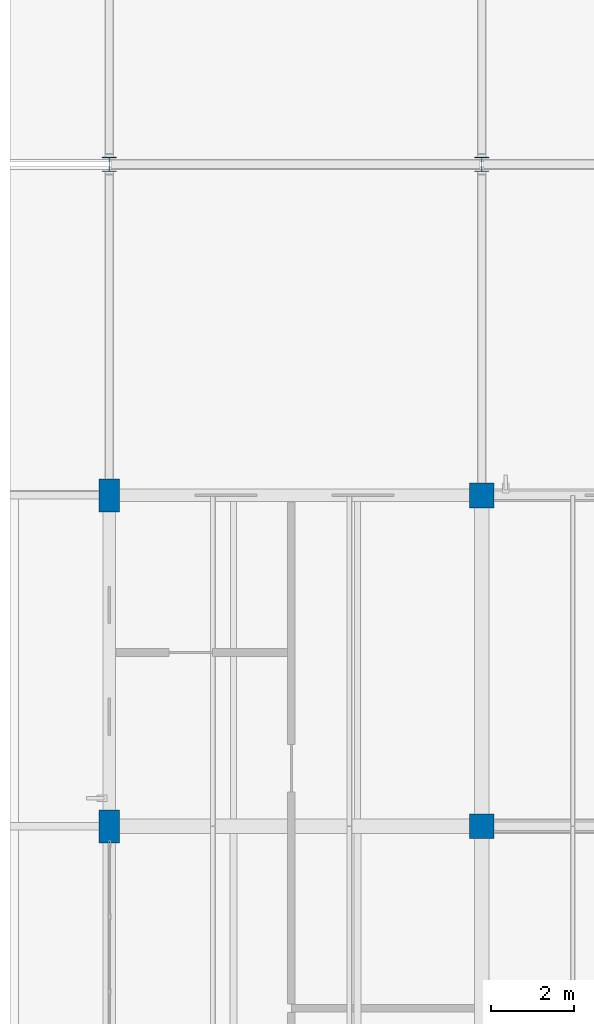
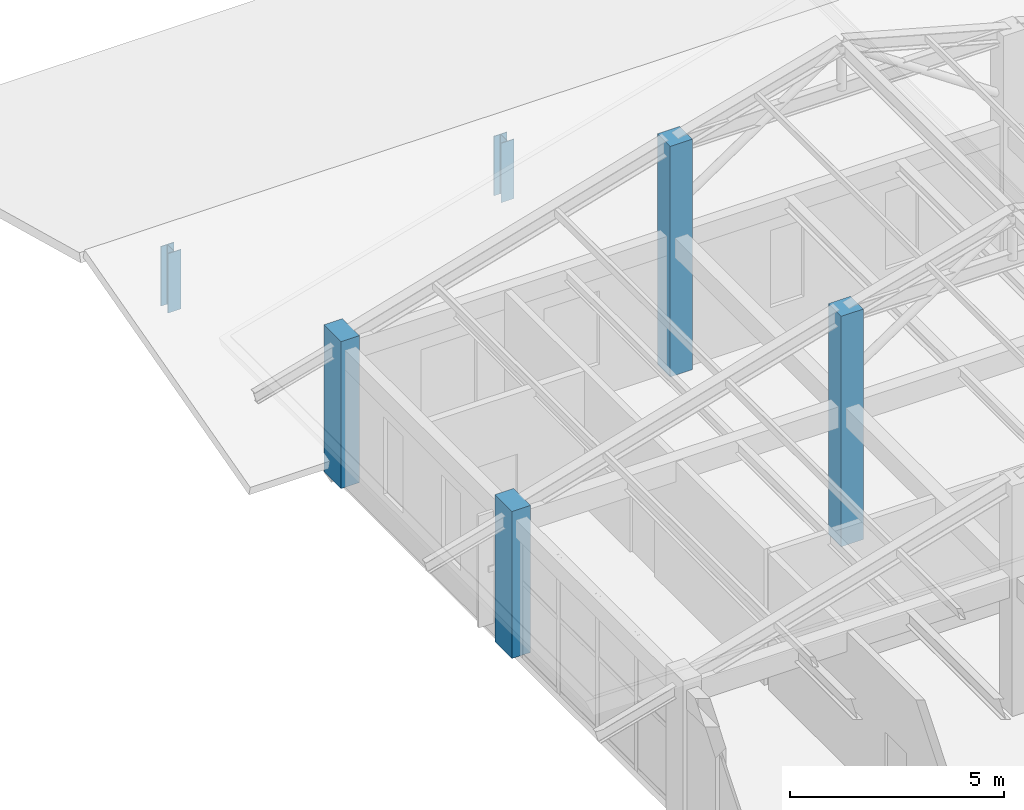
# One storey, part 5 of 58: 6 columns.
"""IFC4 building model written with IfcOpenShell, lengths in metres."""

from ifc_helpers import new_model, si_unit, derived_unit, direction, frame, origin, origin_2d, place, context, subcontext, project, spatial, rectangle, i_section, extrude, material, material_profile, profile_set, type_object, element, save


model = new_model("IFC4")

# Units and contexts
model_context = context("Model", 3, precision=1e-05, world=origin(), true_north=direction((0.0, 1.0)))
body_context = subcontext(model_context, "Body", "Model", "MODEL_VIEW")
ifc_project = project(units=[si_unit("LENGTHUNIT", "METRE"), si_unit("AREAUNIT", "SQUARE_METRE"), si_unit("VOLUMEUNIT", "CUBIC_METRE"), si_unit("PLANEANGLEUNIT", "RADIAN"), si_unit("MASSUNIT", "GRAM", prefix="KILO"), derived_unit("THERMALTRANSMITTANCEUNIT", [(si_unit("MASSUNIT", "GRAM", prefix="KILO"), 1), (si_unit("TIMEUNIT", "SECOND"), -3), (si_unit("THERMODYNAMICTEMPERATUREUNIT", "KELVIN"), -1)])], contexts=[model_context])

# Site, building, storey
site_placement = place(None, origin())
site = spatial("IfcSite", under=ifc_project, at=site_placement, CompositionType="ELEMENT")
building_placement = place(site_placement, origin())
building = spatial("IfcBuilding", under=site, at=building_placement, Name="Zhenchuan Archway Interchange", CompositionType="ELEMENT")
storey_placement = place(building_placement, frame((0.0, 0.0, 22.800048828125)))
storey = spatial("IfcBuildingStorey", under=building, at=storey_placement, Name="L05", CompositionType="ELEMENT", Elevation=22.800048828125)

# Columns
ifc_material_1 = material(Name="Concrete C40", Category="concrete")
ifc_material_profile_1 = material_profile(ifc_material_1, rectangle(XDim=0.5, YDim=0.800048828125, at=origin_2d()), Name="RC 500x800")
ifc_profile_set_1 = profile_set([ifc_material_profile_1], Name="Concrete C40")
column_type_1 = type_object("IfcColumnType", Name="COL_RC_500x800_T", PredefinedType="COLUMN", material=ifc_profile_set_1)
for number, where, z_axis, x_axis, name in (
    (1, (144.0, 80.0, 0.0), (0.0, 0.0, 1.0), (1.0, 0.0, 0.0), "Column 17/L (L05)"),
    (2, (144.0, 88.0, 0.0), (0.0, 0.0, 1.0), (1.0, 0.0, 0.0), "Column 17/M (L05)"),
):
    element("IfcColumn", number, at=place(storey_placement, frame(where, z_axis=z_axis, x_axis=x_axis)), inside=storey, type_object=column_type_1, Name=name, PredefinedType="COLUMN", context=body_context, shape_type="SweptSolid", body=[
        extrude(rectangle(XDim=0.5, YDim=0.800048828125, at=origin_2d()), origin(), (0.0, 0.0, 1.0), 4.199951171875),
    ])
ifc_material_profile_2 = material_profile(ifc_material_1, rectangle(XDim=0.60009765625, YDim=0.60009765625, at=origin_2d()), Name="RC 600x600")
ifc_profile_set_2 = profile_set([ifc_material_profile_2], Name="Concrete C40")
column_type_2 = type_object("IfcColumnType", Name="COL_RC_600_T", PredefinedType="COLUMN", material=ifc_profile_set_2)
for number, where, z_axis, x_axis, name in (
    (3, (153.0, 80.0, 0.0), (0.0, 0.0, 1.0), (1.0, 0.0, 0.0), "Column 18/L (L05)"),
    (4, (153.0, 88.0, 0.0), (0.0, 0.0, 1.0), (1.0, 0.0, 0.0), "Column 18/M (L05)"),
):
    element("IfcColumn", number, at=place(storey_placement, frame(where, z_axis=z_axis, x_axis=x_axis)), inside=storey, type_object=column_type_2, Name=name, PredefinedType="COLUMN", context=body_context, shape_type="SweptSolid", body=[
        extrude(rectangle(XDim=0.60009765625, YDim=0.60009765625, at=origin_2d()), origin(), (0.0, 0.0, 1.0), 6.579833984375),
    ])
ifc_material_2 = material(Name="Steel Q355", Category="steel")
ifc_material_profile_3 = material_profile(ifc_material_2, i_section(OverallWidth=0.35009765625, OverallDepth=0.35009765625, WebThickness=0.011962890625, FlangeThickness=0.01904296875, FilletRadius=0.02001953125, at=origin_2d()), Name="HW 350x350")
ifc_profile_set_3 = profile_set([ifc_material_profile_3], Name="Steel Q355")
column_type_3 = type_object("IfcColumnType", Name="COL_STL_HW350", PredefinedType="COLUMN", material=ifc_profile_set_3)
for number, where, z_axis, x_axis, name in (
    (5, (144.0, 96.0, 0.0), (0.0, 0.0, 1.0), (1.0, 0.0, 0.0), "East bar end gable ridge column 17/N (L05)"),
    (6, (153.0, 96.0, 0.0), (0.0, 0.0, 1.0), (1.0, 0.0, 0.0), "East bar end gable ridge column 18/N (L05)"),
):
    element("IfcColumn", number, at=place(storey_placement, frame(where, z_axis=z_axis, x_axis=x_axis)), inside=storey, type_object=column_type_3, Name=name, PredefinedType="COLUMN", context=body_context, shape_type="SweptSolid", body=[
        extrude(i_section(OverallWidth=0.35009765625, OverallDepth=0.35009765625, WebThickness=0.011962890625, FlangeThickness=0.01904296875, FilletRadius=0.02001953125, at=origin_2d()), origin(), (0.0, 0.0, 1.0), 1.699951171875),
    ])

save(model, "model.ifc")
